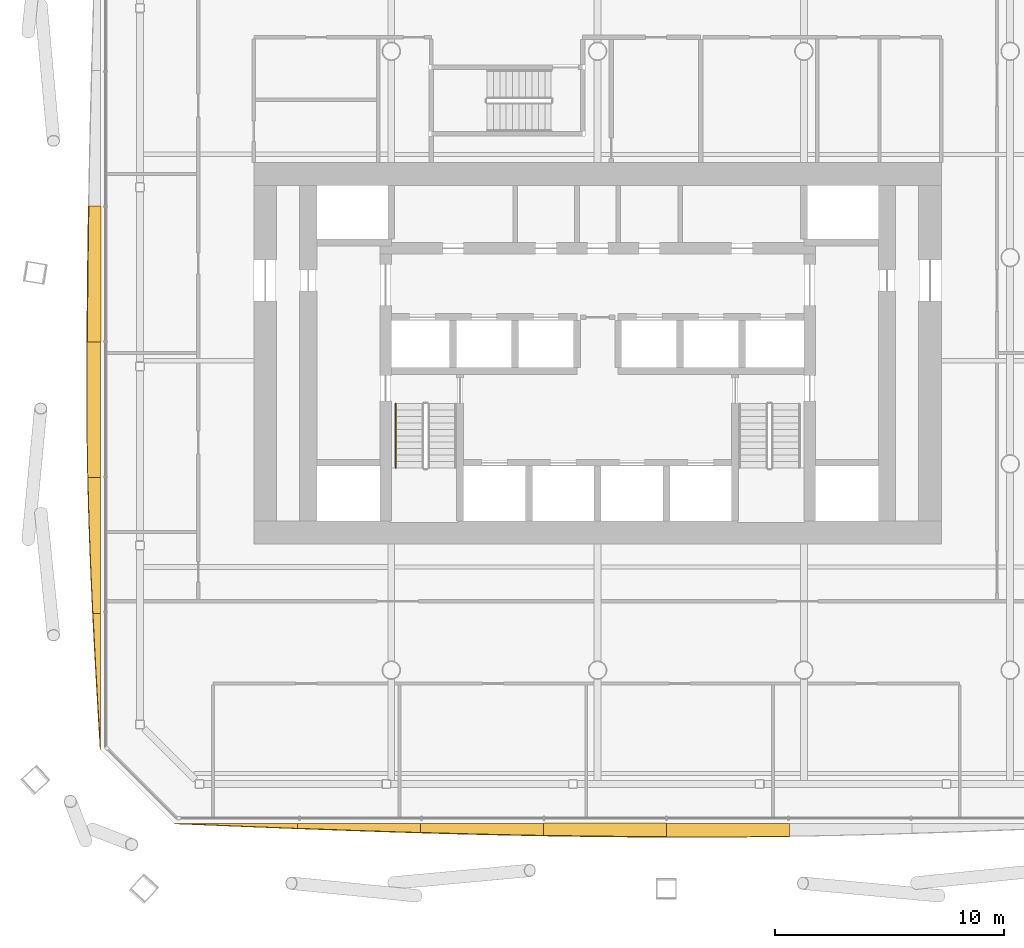
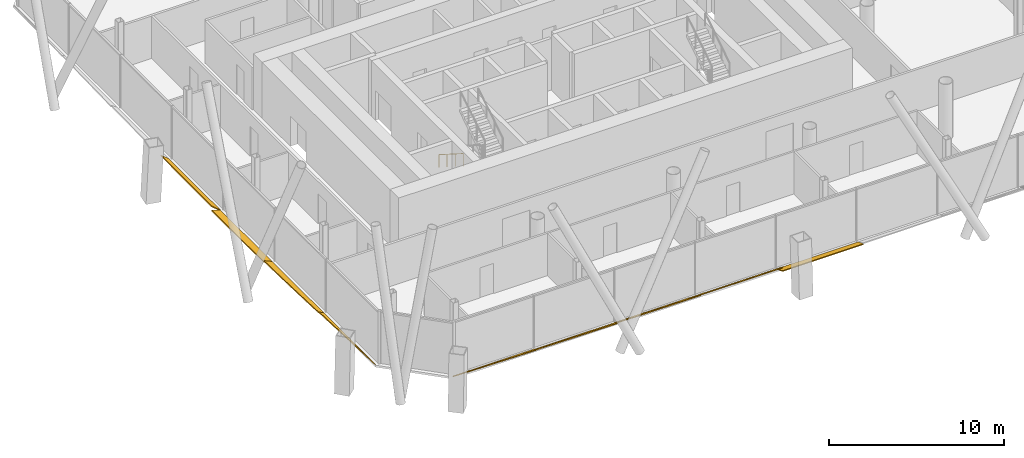
# One storey, part 18 of 22: 9 shading devices, 1 railing.
"""IFC4 building model written with IfcOpenShell, lengths in metres."""

from ifc_helpers import new_model, si_unit, direction, frame, origin, origin_2d, place, context, subcontext, project, spatial, polyline, circle, outline, extrude, material, layer, layer_set, type_object, element, save


model = new_model("IFC4")

# Units and contexts
model_context = context("Model", 3, precision=1e-05, world=origin(), true_north=direction((0.0, 1.0)))
body_context = subcontext(model_context, "Body", "Model", "MODEL_VIEW")
ifc_project = project(units=[si_unit("LENGTHUNIT", "METRE"), si_unit("AREAUNIT", "SQUARE_METRE"), si_unit("VOLUMEUNIT", "CUBIC_METRE"), si_unit("PLANEANGLEUNIT", "RADIAN"), si_unit("MASSUNIT", "GRAM", prefix="KILO")], contexts=[model_context])

# Site, building, storey
site_placement = place(None, origin())
site = spatial("IfcSite", under=ifc_project, at=site_placement, CompositionType="ELEMENT")
building_placement = place(site_placement, origin())
building = spatial("IfcBuilding", under=site, at=building_placement, Name="Tskaro Facet Tower", CompositionType="ELEMENT")
storey_placement = place(building_placement, frame((0.0, 0.0, 85.5)))
storey = spatial("IfcBuildingStorey", under=building, at=storey_placement, Name="L20", CompositionType="ELEMENT", Elevation=85.5)

# Shading devices
ifc_material_1 = material(Name="Bronze anodised aluminium 6063-T6", Category="aluminium")
ifc_layer = layer(ifc_material_1, 0.06005859375, Name="Bronze anodised aluminium 6063-T6")
ifc_layer_set = layer_set([ifc_layer], Name="Bronze anodised aluminium 6063-T6")
shading_device_type = type_object("IfcShadingDeviceType", Name="Bronze sun blade (FN1)", PredefinedType="USERDEFINED", material=ifc_layer_set)
shading_device_1_placement = place(storey_placement, frame((-18.451904296875, -24.687744140625, 0.054443359375), z_axis=(3.2899116e-05, 0.422997114074, 0.906131028275), x_axis=(0.999999999459, -1.3916231e-05, -2.981091e-05)))
element("IfcShadingDevice", 1, at=shading_device_1_placement, inside=storey, type_object=shading_device_type, Name="Fin blade south 1", ObjectType="FIN", PredefinedType="USERDEFINED", context=body_context, shape_type="SweptSolid", body=[
    extrude(outline(polyline([(0.0, 0.0), (5.3627929658477855, 0.0), (5.3627929716608636, -0.23701760795354732), (4.692626952886354, -0.20850765979681557), (4.022216793969997, -0.17945199406883544), (3.351806638934175, -0.15007183416530145), (2.6813964805008363, -0.12047045086607283), (2.0109863259480347, -0.0905445733912904), (1.340576167997716, -0.06039747252081332), (0.6701660173254511, -0.030147100870477082), (0.0, 0.0)])), origin(), (0.0, 0.0, -1.0), 0.06005859375),
])
shading_device_2_placement = place(storey_placement, frame((-13.089111328125, -24.68310546875, 0.052001953125), z_axis=(4.86132e-06, 0.500057317723, 0.865992308839), x_axis=(0.999999999988, -2.430939e-06, -4.209866e-06)))
element("IfcShadingDevice", 2, at=shading_device_2_placement, inside=storey, type_object=shading_device_type, Name="Fin blade south 2", ObjectType="FIN", PredefinedType="USERDEFINED", context=body_context, shape_type="SweptSolid", body=[
    extrude(outline(polyline([(0.0, 0.0), (5.363037109311629, 2.271334564494045e-21), (5.363037109585906, -0.46147059932611595), (4.692626952824958, -0.43785094473766123), (4.022460937991933, -0.4132307655203651), (3.3520507811877445, -0.3876428063828724), (2.6816406246586837, -0.36117640692262465), (2.011230468404748, -0.3338315671396217), (1.3408203130194294, -0.30581971093739113), (0.6704101558536378, -0.27717358302457784), (1.499540565653399e-10, -0.24807186259606456), (0.0, 0.0)])), origin(), (0.0, 0.0, -1.0), 0.06005859375),
])
shading_device_3_placement = place(storey_placement, frame((-7.72607421875, -24.678466796875, 0.049072265625), z_axis=(-4.09532e-06, 0.573585445059, 0.81914573624), x_axis=(0.999999999992, 2.349016e-06, 3.354664e-06)))
element("IfcShadingDevice", 3, at=shading_device_3_placement, inside=storey, type_object=shading_device_type, Name="Fin blade south 3", ObjectType="FIN", PredefinedType="USERDEFINED", context=body_context, shape_type="SweptSolid", body=[
    extrude(outline(polyline([(0.0, 0.0), (5.363037109330026, 0.0), (5.36303710950554, -0.6464852033620017), (4.692626953024813, -0.6312446006835659), (4.022216796954507, -0.6145839577179172), (3.3520507813461307, -0.5967032612170688), (2.681640625523179, -0.5774025244290075), (2.0112304681446576, -0.5569416853487111), (1.340820311995569, -0.5352008414902505), (0.6704101565024216, -0.5123799796056391), (2.7195946805775498e-11, -0.4881990286767791), (0.0, 0.0)])), origin(), (0.0, 0.0, -1.0), 0.06005859375),
])
shading_device_4_placement = place(storey_placement, frame((-2.363037109375, -24.67431640625, 0.0458984375), z_axis=(2.468026e-06, 0.642747259903, 0.766078298793), x_axis=(0.999999999997, -1.586317e-06, -1.890701e-06)))
element("IfcShadingDevice", 4, at=shading_device_4_placement, inside=storey, type_object=shading_device_type, Name="Fin blade south 4", ObjectType="FIN", PredefinedType="USERDEFINED", context=body_context, shape_type="SweptSolid", body=[
    extrude(outline(polyline([(0.0, 0.0), (5.363037109358666, 0.0), (5.363037109333596, -0.7642244256443427), (4.692626953367165, -0.7609418308379231), (4.022216796923418, -0.755909368152502), (3.3518066408512324, -0.7491571477049961), (2.6816406249267275, -0.7406550593784886), (2.0112304686744733, -0.7307771648423131), (1.340820312406498, -0.7189924817093861), (0.6704101559741756, -0.7059889130845413), (-8.65840003394939e-11, -0.6912655866976116), (0.0, 0.0)])), origin(), (0.0, 0.0, -1.0), 0.06005859375),
])
shading_device_5_placement = place(storey_placement, frame((3.0, -24.6923828125, 0.056396484375), z_axis=(3.811898e-06, 0.341938226417, 0.939722432051), x_axis=(0.999999999993, -1.303434e-06, -3.582126e-06)))
element("IfcShadingDevice", 5, at=shading_device_5_placement, inside=storey, type_object=shading_device_type, Name="Fin blade south 5", ObjectType="FIN", PredefinedType="USERDEFINED", context=body_context, shape_type="SweptSolid", body=[
    extrude(outline(polyline([(0.0, 0.0), (5.363037109336036, 0.0), (5.36303710908774, -0.5902910837121105), (4.69262695356596, -0.6000944649039217), (4.0222167966911755, -0.6082083941301994), (3.3518066405306914, -0.6146953337882137), (2.681396484209966, -0.6196387648902741), (2.011230469228539, -0.6229552064240711), (1.340820312269109, -0.6245821959923346), (1.02978515633959, -0.6248116204142237), (0.6704101560239799, -0.6245821959923346), (-3.8139102459452555e-10, -0.6230386874363807), (0.0, 0.0)])), origin(), (0.0, 0.0, -1.0), 0.06005859375),
])
shading_device_6_placement = place(storey_placement, frame((-21.67431640625, 2.24462890625, 0.0458984375), z_axis=(0.642778990298, 1.2444923e-05, 0.766051675461), x_axis=(7.999335e-06, -0.999999999923, 9.533454e-06)))
element("IfcShadingDevice", 6, at=shading_device_6_placement, inside=storey, type_object=shading_device_type, Name="Fin blade west 4", ObjectType="FIN", PredefinedType="USERDEFINED", context=body_context, shape_type="SweptSolid", body=[
    extrude(outline(polyline([(0.0, 0.0), (5.924316405791233, 0.0), (5.924316406513574, -0.7591919660143098), (5.183593748608747, -0.7536586253553592), (4.443115234111206, -0.7467193776288682), (3.7026367181155, -0.7384043187052404), (2.9621582045275563, -0.728339399914788), (2.221679687488487, -0.7170856942620428), (1.48120117285718, -0.704082128742473), (0.7404785141497658, -0.6898897763606104), (-1.1503639800312286e-09, -0.6742915169112075), (0.0, 0.0)])), origin(), (0.0, 0.0, -1.0), 0.06005859375),
])
shading_device_7_placement = place(storey_placement, frame((-21.6923828125, -3.6796875, 0.056396484375), z_axis=(0.341983884791, 6.05341e-06, 0.939705817002), x_axis=(2.070169e-06, -0.999999999982, 5.688425e-06)))
element("IfcShadingDevice", 7, at=shading_device_7_placement, inside=storey, type_object=shading_device_type, Name="Fin blade west 5", ObjectType="FIN", PredefinedType="USERDEFINED", context=body_context, shape_type="SweptSolid", body=[
    extrude(outline(polyline([(0.0, 0.0), (5.92407226551646, 0.0), (5.924072266128394, -0.5822606410970946), (5.183593749861923, -0.5975497780074588), (4.442871093985714, -0.6095224815290453), (3.702392578360982, -0.6180952595024798), (2.9619140623627325, -0.6232681119277622), (2.262939452745616, -0.6248116184394095), (2.2214355464963766, -0.6248116184394095), (1.4809570310124047, -0.6240398651835858), (0.7404785152779435, -0.6219540257815981), (1.7635547442622927e-10, -0.6188670127583035), (0.0, 0.0)])), origin(), (0.0, 0.0, -1.0), 0.06005859375),
])
shading_device_8_placement = place(storey_placement, frame((-21.687744140625, -9.603759765625, 0.054443359375), z_axis=(0.422565954547, -9.942588e-06, 0.906332176389), x_axis=(-4.201399e-06, -0.999999999951, -9.011288e-06)))
element("IfcShadingDevice", 8, at=shading_device_8_placement, inside=storey, type_object=shading_device_type, Name="Fin blade west 6", ObjectType="FIN", PredefinedType="USERDEFINED", context=body_context, shape_type="SweptSolid", body=[
    extrude(outline(polyline([(0.0, 0.0), (5.924072265332188, 2.508942195449902e-21), (5.924072264637306, -0.36557055973213237), (5.183593750378648, -0.4045671624027919), (4.443115233488465, -0.4412628159885852), (3.7026367193925305, -0.47567246196102053), (2.961914062188639, -0.5072354483243132), (2.2214355463525197, -0.5360698820662234), (1.4809570314077416, -0.5616300526624747), (0.7404785161800158, -0.5842403981333312), (-1.382122060180683e-09, -0.6034583734707687), (0.0, 0.0)])), origin(), (0.0, 0.0, -1.0), 0.06005859375),
])
shading_device_9_placement = place(storey_placement, frame((-21.68310546875, -15.52783203125, 0.052001953125), z_axis=(0.500184745578, -5.359024e-06, 0.865918714581), x_axis=(-2.680502e-06, -0.999999999986, -4.64048e-06)))
element("IfcShadingDevice", 9, at=shading_device_9_placement, inside=storey, type_object=shading_device_type, Name="Fin blade west 7", ObjectType="FIN", PredefinedType="USERDEFINED", context=body_context, shape_type="SweptSolid", body=[
    extrude(outline(polyline([(0.0, 0.0), (5.924072265539933, -2.508942195449902e-21), (5.1835937498964, -0.050753071818299356), (4.443115234731377, -0.10117262228401591), (3.702636718257515, -0.15116936087737223), (2.9621582032191833, -0.2001655354129802), (2.221679687829033, -0.24807185537106233), (1.4809570308076472, -0.2946769148154385), (0.740478515670879, -0.33973648291330344), (-1.6952687800979775e-10, -0.3826163418561167), (0.0, 0.0)])), origin(), (0.0, 0.0, -1.0), 0.06005859375),
])

# Railing
ifc_material_2 = material(Name="Stainless steel", Category="steel")
railing_type = type_object("IfcRailingType", Name="RL-HANDRAIL-900", PredefinedType="HANDRAIL", material=ifc_material_2)
railing_placement = place(storey_placement, frame((-8.800048828125, -6.375, 0.17724609375)))
element("IfcRailing", 10, at=railing_placement, inside=storey, type_object=railing_type, Name="L20 ST-1 stair handrail 1", PredefinedType="HANDRAIL", context=body_context, shape_type="SweptSolid", body=[
    extrude(circle(Radius=0.02392578125, at=origin_2d()), frame((0.0, 0.0, 0.8759765625), z_axis=(0.0, -0.844908973607, 0.534910110503), x_axis=(1.0, 0.0, 0.0)), (0.0, 0.0, 1.0), 3.31396484375),
    extrude(circle(Radius=0.02099609375, at=origin_2d()), origin(), (0.0, 0.0, 1.0), 0.851806640625),
    extrude(circle(Radius=0.02099609375, at=origin_2d()), frame((0.0, -0.933349609375, 0.5908203125)), (0.0, 0.0, 1.0), 0.851806640625),
    extrude(circle(Radius=0.02099609375, at=origin_2d()), frame((0.0, -1.86669921875, 1.181884765625)), (0.0, 0.0, 1.0), 0.851806640625),
    extrude(circle(Radius=0.02099609375, at=origin_2d()), frame((0.0, -2.800048828125, 1.772705078125)), (0.0, 0.0, 1.0), 0.851806640625),
])

save(model, "model.ifc")
